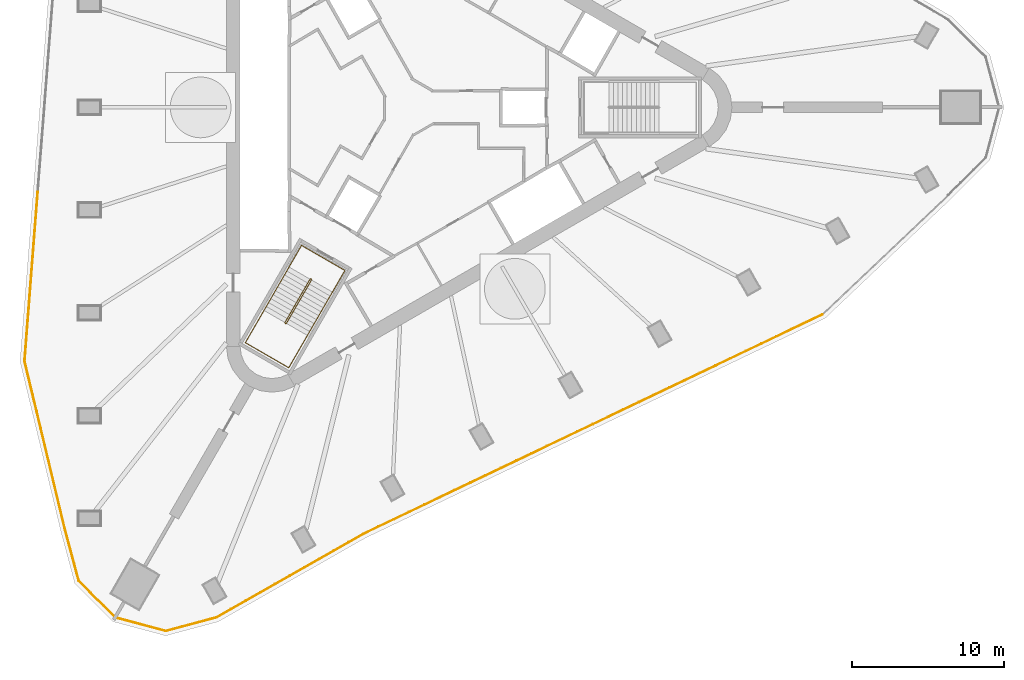
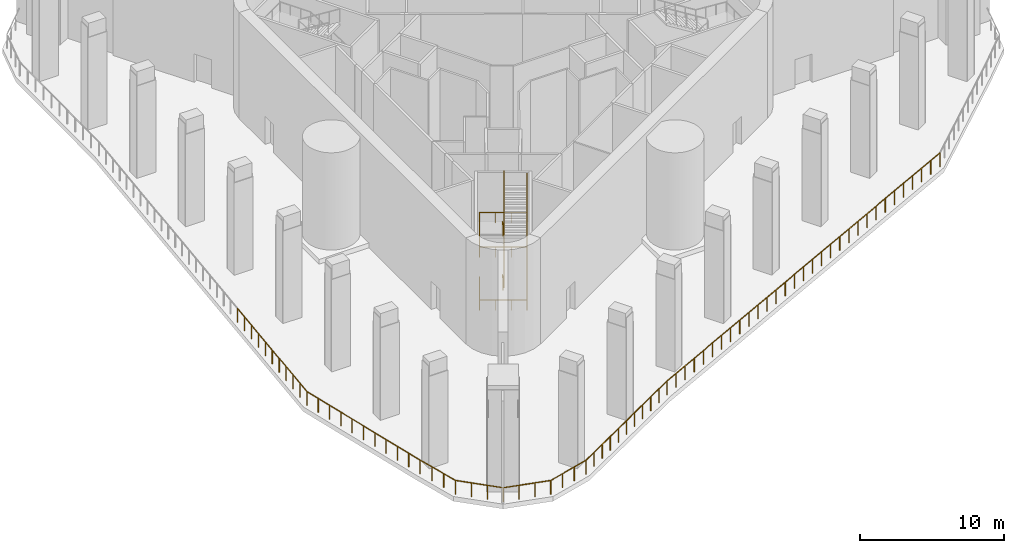
# One storey, part 7 of 10: 10 railings.
"""IFC4 building model written with IfcOpenShell, lengths in metres."""

from ifc_helpers import new_model, si_unit, direction, frame, origin, origin_2d, place, context, subcontext, project, spatial, circle, extrude, material, type_object, element, save


model = new_model("IFC4")

# Units and contexts
model_context = context("Model", 3, precision=1e-05, world=origin(), true_north=direction((0.0, 1.0)))
body_context = subcontext(model_context, "Body", "Model", "MODEL_VIEW")
ifc_project = project(units=[si_unit("LENGTHUNIT", "METRE"), si_unit("AREAUNIT", "SQUARE_METRE"), si_unit("VOLUMEUNIT", "CUBIC_METRE"), si_unit("PLANEANGLEUNIT", "RADIAN"), si_unit("MASSUNIT", "GRAM", prefix="KILO")], contexts=[model_context])

# Site, building, storey
site_placement = place(None, origin())
site = spatial("IfcSite", under=ifc_project, at=site_placement, CompositionType="ELEMENT")
building_placement = place(site_placement, origin())
building = spatial("IfcBuilding", under=site, at=building_placement, Name="Tanit Gate Tower", CompositionType="ELEMENT")
storey_placement = place(building_placement, frame((0.0, 0.0, 283.699951171875)))
storey = spatial("IfcBuildingStorey", under=building, at=storey_placement, Name="L64", CompositionType="ELEMENT", Elevation=283.699951171875)

# Railings
ifc_material_1 = material(Name="Steel S355 galvanised", Category="steel")
railing_type_1 = type_object("IfcRailingType", Name="Guard 1200 turbine slot balustrade", PredefinedType="GUARDRAIL", material=ifc_material_1)
railing_1_placement = place(storey_placement, frame((27.1669921875, -13.641845703125, 0.0)))
element("IfcRailing", 1, at=railing_1_placement, inside=storey, type_object=railing_type_1, Name="Open storey guard L64 1", PredefinedType="GUARDRAIL", context=body_context, shape_type="SweptSolid", body=[
    extrude(circle(Radius=0.02392578125, at=origin_2d()), frame((0.0, 0.0, 1.17578125), z_axis=(-0.90226321048, -0.431185689715, 0.0), x_axis=(0.431185689715, -0.90226321048, 0.0)), (0.0, 0.0, 1.0), 11.17529296875),
    extrude(circle(Radius=0.02099609375, at=origin_2d()), origin(), (0.0, 0.0, 1.0), 1.15185546875),
    extrude(circle(Radius=0.02099609375, at=origin_2d()), frame((-1.00830078125, -0.48193359375, 0.0)), (0.0, 0.0, 1.0), 1.15185546875),
    extrude(circle(Radius=0.02099609375, at=origin_2d()), frame((-2.0166015625, -0.963623046875, 0.0)), (0.0, 0.0, 1.0), 1.15185546875),
    extrude(circle(Radius=0.02099609375, at=origin_2d()), frame((-3.02490234375, -1.445556640625, 0.0)), (0.0, 0.0, 1.0), 1.15185546875),
    extrude(circle(Radius=0.02099609375, at=origin_2d()), frame((-4.033203125, -1.927490234375, 0.0)), (0.0, 0.0, 1.0), 1.15185546875),
    extrude(circle(Radius=0.02099609375, at=origin_2d()), frame((-5.04150390625, -2.4091796875, 0.0)), (0.0, 0.0, 1.0), 1.15185546875),
    extrude(circle(Radius=0.02099609375, at=origin_2d()), frame((-6.0498046875, -2.89111328125, 0.0)), (0.0, 0.0, 1.0), 1.15185546875),
    extrude(circle(Radius=0.02099609375, at=origin_2d()), frame((-7.05810546875, -3.373046875, 0.0)), (0.0, 0.0, 1.0), 1.15185546875),
    extrude(circle(Radius=0.02099609375, at=origin_2d()), frame((-8.06640625, -3.85498046875, 0.0)), (0.0, 0.0, 1.0), 1.15185546875),
    extrude(circle(Radius=0.02099609375, at=origin_2d()), frame((-9.07470703125, -4.336669921875, 0.0)), (0.0, 0.0, 1.0), 1.15185546875),
    extrude(circle(Radius=0.02099609375, at=origin_2d()), frame((-10.0830078125, -4.818603515625, 0.0)), (0.0, 0.0, 1.0), 1.15185546875),
])
railing_2_placement = place(storey_placement, frame((17.083984375, -18.46044921875, 0.0)))
element("IfcRailing", 2, at=railing_2_placement, inside=storey, type_object=railing_type_1, Name="Open storey guard L64 1", PredefinedType="GUARDRAIL", context=body_context, shape_type="SweptSolid", body=[
    extrude(circle(Radius=0.02392578125, at=origin_2d()), frame((0.0, 0.0, 1.17578125), z_axis=(-0.902259148622, -0.431194189117, 0.0), x_axis=(0.431194189117, -0.902259148622, 0.0)), (0.0, 0.0, 1.0), 11.175048828125),
    extrude(circle(Radius=0.02099609375, at=origin_2d()), origin(), (0.0, 0.0, 1.0), 1.15185546875),
    extrude(circle(Radius=0.02099609375, at=origin_2d()), frame((-1.00830078125, -0.48193359375, 0.0)), (0.0, 0.0, 1.0), 1.15185546875),
    extrude(circle(Radius=0.02099609375, at=origin_2d()), frame((-2.0166015625, -0.963623046875, 0.0)), (0.0, 0.0, 1.0), 1.15185546875),
    extrude(circle(Radius=0.02099609375, at=origin_2d()), frame((-3.02490234375, -1.445556640625, 0.0)), (0.0, 0.0, 1.0), 1.15185546875),
    extrude(circle(Radius=0.02099609375, at=origin_2d()), frame((-4.033203125, -1.927490234375, 0.0)), (0.0, 0.0, 1.0), 1.15185546875),
    extrude(circle(Radius=0.02099609375, at=origin_2d()), frame((-5.04150390625, -2.4091796875, 0.0)), (0.0, 0.0, 1.0), 1.15185546875),
    extrude(circle(Radius=0.02099609375, at=origin_2d()), frame((-6.049560546875, -2.89111328125, 0.0)), (0.0, 0.0, 1.0), 1.15185546875),
    extrude(circle(Radius=0.02099609375, at=origin_2d()), frame((-7.057861328125, -3.373046875, 0.0)), (0.0, 0.0, 1.0), 1.15185546875),
    extrude(circle(Radius=0.02099609375, at=origin_2d()), frame((-8.066162109375, -3.85498046875, 0.0)), (0.0, 0.0, 1.0), 1.15185546875),
    extrude(circle(Radius=0.02099609375, at=origin_2d()), frame((-9.074462890625, -4.336669921875, 0.0)), (0.0, 0.0, 1.0), 1.15185546875),
    extrude(circle(Radius=0.02099609375, at=origin_2d()), frame((-10.082763671875, -4.818603515625, 0.0)), (0.0, 0.0, 1.0), 1.15185546875),
])
railing_3_placement = place(storey_placement, frame((7.001220703125, -23.279052734375, 0.0)))
element("IfcRailing", 3, at=railing_3_placement, inside=storey, type_object=railing_type_1, Name="Open storey guard L64 1", PredefinedType="GUARDRAIL", context=body_context, shape_type="SweptSolid", body=[
    extrude(circle(Radius=0.02392578125, at=origin_2d()), frame((0.0, 0.0, 1.17578125), z_axis=(-0.902254711131, -0.431203474293, 0.0), x_axis=(0.431203474293, -0.902254711131, 0.0)), (0.0, 0.0, 1.0), 11.17529296875),
    extrude(circle(Radius=0.02099609375, at=origin_2d()), origin(), (0.0, 0.0, 1.0), 1.15185546875),
    extrude(circle(Radius=0.02099609375, at=origin_2d()), frame((-1.00830078125, -0.48193359375, 0.0)), (0.0, 0.0, 1.0), 1.15185546875),
    extrude(circle(Radius=0.02099609375, at=origin_2d()), frame((-2.0166015625, -0.9638671875, 0.0)), (0.0, 0.0, 1.0), 1.15185546875),
    extrude(circle(Radius=0.02099609375, at=origin_2d()), frame((-3.02490234375, -1.445556640625, 0.0)), (0.0, 0.0, 1.0), 1.15185546875),
    extrude(circle(Radius=0.02099609375, at=origin_2d()), frame((-4.033203125, -1.927490234375, 0.0)), (0.0, 0.0, 1.0), 1.15185546875),
    extrude(circle(Radius=0.02099609375, at=origin_2d()), frame((-5.04150390625, -2.409423828125, 0.0)), (0.0, 0.0, 1.0), 1.15185546875),
    extrude(circle(Radius=0.02099609375, at=origin_2d()), frame((-6.0498046875, -2.891357421875, 0.0)), (0.0, 0.0, 1.0), 1.15185546875),
    extrude(circle(Radius=0.02099609375, at=origin_2d()), frame((-7.05810546875, -3.373291015625, 0.0)), (0.0, 0.0, 1.0), 1.15185546875),
    extrude(circle(Radius=0.02099609375, at=origin_2d()), frame((-8.06640625, -3.85498046875, 0.0)), (0.0, 0.0, 1.0), 1.15185546875),
    extrude(circle(Radius=0.02099609375, at=origin_2d()), frame((-9.07470703125, -4.3369140625, 0.0)), (0.0, 0.0, 1.0), 1.15185546875),
    extrude(circle(Radius=0.02099609375, at=origin_2d()), frame((-10.0830078125, -4.81884765625, 0.0)), (0.0, 0.0, 1.0), 1.15185546875),
])
railing_4_placement = place(storey_placement, frame((-3.081787109375, -28.097900390625, 0.0)))
element("IfcRailing", 4, at=railing_4_placement, inside=storey, type_object=railing_type_1, Name="Open storey guard L64 1", PredefinedType="GUARDRAIL", context=body_context, shape_type="SweptSolid", body=[
    extrude(circle(Radius=0.02392578125, at=origin_2d()), frame((0.0, 0.0, 1.17578125), z_axis=(-0.869194889918, -0.494469658666, 0.0), x_axis=(0.494469658666, -0.869194889918, 0.0)), (0.0, 0.0, 1.0), 11.1259765625),
    extrude(circle(Radius=0.02099609375, at=origin_2d()), origin(), (0.0, 0.0, 1.0), 1.15185546875),
    extrude(circle(Radius=0.02099609375, at=origin_2d()), frame((-0.967041015625, -0.550048828125, 0.0)), (0.0, 0.0, 1.0), 1.15185546875),
    extrude(circle(Radius=0.02099609375, at=origin_2d()), frame((-1.93408203125, -1.100341796875, 0.0)), (0.0, 0.0, 1.0), 1.15185546875),
    extrude(circle(Radius=0.02099609375, at=origin_2d()), frame((-2.901123046875, -1.650390625, 0.0)), (0.0, 0.0, 1.0), 1.15185546875),
    extrude(circle(Radius=0.02099609375, at=origin_2d()), frame((-3.8681640625, -2.20068359375, 0.0)), (0.0, 0.0, 1.0), 1.15185546875),
    extrude(circle(Radius=0.02099609375, at=origin_2d()), frame((-4.83544921875, -2.750732421875, 0.0)), (0.0, 0.0, 1.0), 1.15185546875),
    extrude(circle(Radius=0.02099609375, at=origin_2d()), frame((-5.802490234375, -3.30078125, 0.0)), (0.0, 0.0, 1.0), 1.15185546875),
    extrude(circle(Radius=0.02099609375, at=origin_2d()), frame((-6.76953125, -3.85107421875, 0.0)), (0.0, 0.0, 1.0), 1.15185546875),
    extrude(circle(Radius=0.02099609375, at=origin_2d()), frame((-7.736572265625, -4.401123046875, 0.0)), (0.0, 0.0, 1.0), 1.15185546875),
    extrude(circle(Radius=0.02099609375, at=origin_2d()), frame((-8.70361328125, -4.951416015625, 0.0)), (0.0, 0.0, 1.0), 1.15185546875),
    extrude(circle(Radius=0.02099609375, at=origin_2d()), frame((-9.670654296875, -5.50146484375, 0.0)), (0.0, 0.0, 1.0), 1.15185546875),
])
railing_5_placement = place(storey_placement, frame((-12.75244140625, -33.599365234375, 0.0)))
element("IfcRailing", 5, at=railing_5_placement, inside=storey, type_object=railing_type_1, Name="Open storey guard L64 1", PredefinedType="GUARDRAIL", context=body_context, shape_type="SweptSolid", body=[
    extrude(circle(Radius=0.02392578125, at=origin_2d()), frame((0.0, 0.0, 1.17578125), z_axis=(-0.965939559295, -0.258767787388, 0.0), x_axis=(0.258767787388, -0.965939559295, 0.0)), (0.0, 0.0, 1.0), 3.46435546875),
    extrude(circle(Radius=0.02392578125, at=origin_2d()), frame((-3.346435546875, -0.896484375, 1.17578125), z_axis=(-0.965931176381, 0.258799077462, 0.0), x_axis=(-0.258799077462, -0.965931176381, 0.0)), (0.0, 0.0, 1.0), 3.422607421875),
    extrude(circle(Radius=0.02099609375, at=origin_2d()), origin(), (0.0, 0.0, 1.0), 1.15185546875),
    extrude(circle(Radius=0.02099609375, at=origin_2d()), frame((-1.115478515625, -0.298828125, 0.0)), (0.0, 0.0, 1.0), 1.15185546875),
    extrude(circle(Radius=0.02099609375, at=origin_2d()), frame((-2.23095703125, -0.59765625, 0.0)), (0.0, 0.0, 1.0), 1.15185546875),
    extrude(circle(Radius=0.02099609375, at=origin_2d()), frame((-3.346435546875, -0.896484375, 0.0)), (0.0, 0.0, 1.0), 1.15185546875),
    extrude(circle(Radius=0.02099609375, at=origin_2d()), frame((-4.448486328125, -0.601318359375, 0.0)), (0.0, 0.0, 1.0), 1.15185546875),
    extrude(circle(Radius=0.02099609375, at=origin_2d()), frame((-5.55029296875, -0.305908203125, 0.0)), (0.0, 0.0, 1.0), 1.15185546875),
    extrude(circle(Radius=0.02099609375, at=origin_2d()), frame((-6.65234375, -0.0107421875, 0.0)), (0.0, 0.0, 1.0), 1.15185546875),
])
railing_6_placement = place(storey_placement, frame((-19.40478515625, -33.610107421875, 0.0)))
element("IfcRailing", 6, at=railing_6_placement, inside=storey, type_object=railing_type_1, Name="Open storey guard L64 1", PredefinedType="GUARDRAIL", context=body_context, shape_type="SweptSolid", body=[
    extrude(circle(Radius=0.02392578125, at=origin_2d()), frame((0.0, 0.0, 1.17578125), z_axis=(-0.707106781187, 0.707106781187, 0.0), x_axis=(-0.707106781187, -0.707106781187, 0.0)), (0.0, 0.0, 1.0), 3.422607421875),
    extrude(circle(Radius=0.02392578125, at=origin_2d()), frame((-2.420166015625, 2.420166015625, 1.17578125), z_axis=(-0.258852334616, 0.965916905776, 0.0), x_axis=(-0.965916905776, -0.258852334616, 0.0)), (0.0, 0.0, 1.0), 3.4990234375),
    extrude(circle(Radius=0.02099609375, at=origin_2d()), origin(), (0.0, 0.0, 1.0), 1.15185546875),
    extrude(circle(Radius=0.02099609375, at=origin_2d()), frame((-0.806640625, 0.806640625, 0.0)), (0.0, 0.0, 1.0), 1.15185546875),
    extrude(circle(Radius=0.02099609375, at=origin_2d()), frame((-1.613525390625, 1.613525390625, 0.0)), (0.0, 0.0, 1.0), 1.15185546875),
    extrude(circle(Radius=0.02099609375, at=origin_2d()), frame((-2.420166015625, 2.420166015625, 0.0)), (0.0, 0.0, 1.0), 1.15185546875),
    extrude(circle(Radius=0.02099609375, at=origin_2d()), frame((-2.72216796875, 3.546875, 0.0)), (0.0, 0.0, 1.0), 1.15185546875),
    extrude(circle(Radius=0.02099609375, at=origin_2d()), frame((-3.02392578125, 4.67333984375, 0.0)), (0.0, 0.0, 1.0), 1.15185546875),
    extrude(circle(Radius=0.02099609375, at=origin_2d()), frame((-3.325927734375, 5.800048828125, 0.0)), (0.0, 0.0, 1.0), 1.15185546875),
])
railing_7_placement = place(storey_placement, frame((-22.730712890625, -27.81005859375, 0.0)))
element("IfcRailing", 7, at=railing_7_placement, inside=storey, type_object=railing_type_1, Name="Open storey guard L64 1", PredefinedType="GUARDRAIL", context=body_context, shape_type="SweptSolid", body=[
    extrude(circle(Radius=0.02392578125, at=origin_2d()), frame((0.0, 0.0, 1.17578125), z_axis=(-0.233525774183, 0.97235061207, 0.0), x_axis=(-0.97235061207, -0.233525774183, 0.0)), (0.0, 0.0, 1.0), 11.41943359375),
    extrude(circle(Radius=0.02099609375, at=origin_2d()), origin(), (0.0, 0.0, 1.0), 1.15185546875),
    extrude(circle(Radius=0.02099609375, at=origin_2d()), frame((-0.2666015625, 1.1103515625, 0.0)), (0.0, 0.0, 1.0), 1.15185546875),
    extrude(circle(Radius=0.02099609375, at=origin_2d()), frame((-0.533447265625, 2.220703125, 0.0)), (0.0, 0.0, 1.0), 1.15185546875),
    extrude(circle(Radius=0.02099609375, at=origin_2d()), frame((-0.800048828125, 3.3310546875, 0.0)), (0.0, 0.0, 1.0), 1.15185546875),
    extrude(circle(Radius=0.02099609375, at=origin_2d()), frame((-1.066650390625, 4.44140625, 0.0)), (0.0, 0.0, 1.0), 1.15185546875),
    extrude(circle(Radius=0.02099609375, at=origin_2d()), frame((-1.33349609375, 5.5517578125, 0.0)), (0.0, 0.0, 1.0), 1.15185546875),
    extrude(circle(Radius=0.02099609375, at=origin_2d()), frame((-1.60009765625, 6.662353515625, 0.0)), (0.0, 0.0, 1.0), 1.15185546875),
    extrude(circle(Radius=0.02099609375, at=origin_2d()), frame((-1.86669921875, 7.772705078125, 0.0)), (0.0, 0.0, 1.0), 1.15185546875),
    extrude(circle(Radius=0.02099609375, at=origin_2d()), frame((-2.13330078125, 8.883056640625, 0.0)), (0.0, 0.0, 1.0), 1.15185546875),
    extrude(circle(Radius=0.02099609375, at=origin_2d()), frame((-2.400146484375, 9.993408203125, 0.0)), (0.0, 0.0, 1.0), 1.15185546875),
    extrude(circle(Radius=0.02099609375, at=origin_2d()), frame((-2.666748046875, 11.103759765625, 0.0)), (0.0, 0.0, 1.0), 1.15185546875),
])
railing_8_placement = place(storey_placement, frame((-25.3974609375, -16.706298828125, 0.0)))
element("IfcRailing", 8, at=railing_8_placement, inside=storey, type_object=railing_type_1, Name="Open storey guard L64 2", PredefinedType="GUARDRAIL", context=body_context, shape_type="SweptSolid", body=[
    extrude(circle(Radius=0.02392578125, at=origin_2d()), frame((0.0, 0.0, 1.17578125), z_axis=(0.077687148224, 0.996977786614, 0.0), x_axis=(-0.996977786614, 0.077687148224, 0.0)), (0.0, 0.0, 1.0), 11.175048828125),
    extrude(circle(Radius=0.02099609375, at=origin_2d()), origin(), (0.0, 0.0, 1.0), 1.15185546875),
    extrude(circle(Radius=0.02099609375, at=origin_2d()), frame((0.0869140625, 1.1142578125, 0.0)), (0.0, 0.0, 1.0), 1.15185546875),
    extrude(circle(Radius=0.02099609375, at=origin_2d()), frame((0.173583984375, 2.228271484375, 0.0)), (0.0, 0.0, 1.0), 1.15185546875),
    extrude(circle(Radius=0.02099609375, at=origin_2d()), frame((0.260498046875, 3.34228515625, 0.0)), (0.0, 0.0, 1.0), 1.15185546875),
    extrude(circle(Radius=0.02099609375, at=origin_2d()), frame((0.34716796875, 4.45654296875, 0.0)), (0.0, 0.0, 1.0), 1.15185546875),
    extrude(circle(Radius=0.02099609375, at=origin_2d()), frame((0.43408203125, 5.57080078125, 0.0)), (0.0, 0.0, 1.0), 1.15185546875),
    extrude(circle(Radius=0.02099609375, at=origin_2d()), frame((0.52099609375, 6.684814453125, 0.0)), (0.0, 0.0, 1.0), 1.15185546875),
    extrude(circle(Radius=0.02099609375, at=origin_2d()), frame((0.607666015625, 7.798828125, 0.0)), (0.0, 0.0, 1.0), 1.15185546875),
    extrude(circle(Radius=0.02099609375, at=origin_2d()), frame((0.694580078125, 8.9130859375, 0.0)), (0.0, 0.0, 1.0), 1.15185546875),
    extrude(circle(Radius=0.02099609375, at=origin_2d()), frame((0.78125, 10.02734375, 0.0)), (0.0, 0.0, 1.0), 1.15185546875),
    extrude(circle(Radius=0.02099609375, at=origin_2d()), frame((0.8681640625, 11.141357421875, 0.0)), (0.0, 0.0, 1.0), 1.15185546875),
])
ifc_material_2 = material(Name="Stainless steel balustrade", Category="steel")
railing_type_2 = type_object("IfcRailingType", Name="INT-STAIR-GUARD", PredefinedType="GUARDRAIL", material=ifc_material_2)
railing_9_placement = place(storey_placement, frame((-6.51806640625, -11.2998046875, 0.0)))
element("IfcRailing", 9, at=railing_9_placement, inside=storey, type_object=railing_type_2, Name="L64 S3 stair guard 1", PredefinedType="GUARDRAIL", context=body_context, shape_type="SweptSolid", body=[
    extrude(circle(Radius=0.02392578125, at=origin_2d()), frame((0.0, 0.0, 1.076171875), z_axis=(-0.874157276122, 0.485642931179, 0.0), x_axis=(-0.485642931179, -0.874157276122, 0.0)), (0.0, 0.0, 1.0), 0.010009765625),
    extrude(circle(Radius=0.02392578125, at=origin_2d()), frame((-0.0087890625, 0.0048828125, 1.076171875), z_axis=(-0.34113380443, -0.090156791171, 0.935681292151), x_axis=(0.255512919477, -0.966805641264, 0.0)), (0.0, 0.0, 1.0), 0.200439453125),
    extrude(circle(Radius=0.02392578125, at=origin_2d()), frame((-0.0771484375, -0.01318359375, 1.263671875), z_axis=(-0.423976462191, -0.734399003612, 0.530001946225), x_axis=(0.866040211805, -0.499974350878, 0.0)), (0.0, 0.0, 1.0), 3.8916015625),
    extrude(circle(Radius=0.02392578125, at=origin_2d()), frame((-1.72705078125, -2.87109375, 3.326171875), z_axis=(0.258736085224, -0.965948051503, 0.0), x_axis=(0.965948051503, 0.258736085224, 0.0)), (0.0, 0.0, 1.0), 0.07080078125),
    extrude(circle(Radius=0.02392578125, at=origin_2d()), frame((-1.708740234375, -2.939453125, 3.326171875), z_axis=(0.857492925713, -0.514495755428, 0.0), x_axis=(0.514495755428, 0.857492925713, 0.0)), (0.0, 0.0, 1.0), 0.010009765625),
    extrude(circle(Radius=0.02392578125, at=origin_2d()), frame((-1.7001953125, -2.944580078125, 3.326171875), z_axis=(0.341096086969, 0.091365023295, 0.935577838543), x_axis=(-0.258736085224, 0.965948051503, 0.0)), (0.0, 0.0, 1.0), 0.200439453125),
    extrude(circle(Radius=0.02392578125, at=origin_2d()), frame((-1.6318359375, -2.92626953125, 3.513671875), z_axis=(0.424027919761, 0.734379468667, 0.529987848223), x_axis=(-0.866008176907, 0.50002983664, 0.0)), (0.0, 0.0, 1.0), 3.8916015625),
    extrude(circle(Radius=0.02392578125, at=origin_2d()), frame((0.018310546875, -0.068359375, 5.576171875), z_axis=(-0.258736085224, 0.965948051503, 0.0), x_axis=(-0.965948051503, -0.258736085224, 0.0)), (0.0, 0.0, 1.0), 0.07080078125),
    extrude(circle(Radius=0.02392578125, at=origin_2d()), frame((0.0, 0.0, 5.576171875), z_axis=(-0.874157276122, 0.485642931179, 0.0), x_axis=(-0.485642931179, -0.874157276122, 0.0)), (0.0, 0.0, 1.0), 0.010009765625),
    extrude(circle(Radius=0.02392578125, at=origin_2d()), frame((-0.0087890625, 0.0048828125, 5.576171875), z_axis=(-0.34113380443, -0.090156791171, 0.935681292151), x_axis=(0.255512919477, -0.966805641264, 0.0)), (0.0, 0.0, 1.0), 0.200439453125),
    extrude(circle(Radius=0.02392578125, at=origin_2d()), frame((-0.0771484375, -0.01318359375, 5.763671875), z_axis=(-0.423976462191, -0.734399003612, 0.530001946225), x_axis=(0.866040211805, -0.499974350878, 0.0)), (0.0, 0.0, 1.0), 3.8916015625),
    extrude(circle(Radius=0.02392578125, at=origin_2d()), frame((-1.72705078125, -2.87109375, 7.826171875), z_axis=(0.258736085224, -0.965948051503, 0.0), x_axis=(0.965948051503, 0.258736085224, 0.0)), (0.0, 0.0, 1.0), 0.07080078125),
    extrude(circle(Radius=0.02392578125, at=origin_2d()), frame((-1.708740234375, -2.939453125, 7.826171875), z_axis=(0.857492925713, -0.514495755428, 0.0), x_axis=(0.514495755428, 0.857492925713, 0.0)), (0.0, 0.0, 1.0), 0.010009765625),
    extrude(circle(Radius=0.02392578125, at=origin_2d()), frame((-1.7001953125, -2.944580078125, 7.826171875), z_axis=(0.341096086969, 0.091365023295, 0.935577838543), x_axis=(-0.258736085224, 0.965948051503, 0.0)), (0.0, 0.0, 1.0), 0.200439453125),
    extrude(circle(Radius=0.02392578125, at=origin_2d()), frame((-1.6318359375, -2.92626953125, 8.013671875), z_axis=(0.424027919761, 0.734379468667, 0.529987848223), x_axis=(-0.866008176907, 0.50002983664, 0.0)), (0.0, 0.0, 1.0), 3.8916015625),
    extrude(circle(Radius=0.02099609375, at=origin_2d()), origin(), (0.0, 0.0, 1.0), 1.052001953125),
    extrude(circle(Radius=0.02099609375, at=origin_2d()), frame((-0.0087890625, 0.0048828125, 0.0)), (0.0, 0.0, 1.0), 1.052001953125),
    extrude(circle(Radius=0.02099609375, at=origin_2d()), frame((-0.0771484375, -0.01318359375, 0.1875)), (0.0, 0.0, 1.0), 1.052001953125),
    extrude(circle(Radius=0.02099609375, at=origin_2d()), frame((-0.48974609375, -0.7275390625, 0.703125)), (0.0, 0.0, 1.0), 1.052001953125),
    extrude(circle(Radius=0.02099609375, at=origin_2d()), frame((-0.902099609375, -1.442138671875, 1.21875)), (0.0, 0.0, 1.0), 1.052001953125),
    extrude(circle(Radius=0.02099609375, at=origin_2d()), frame((-1.314453125, -2.15673828125, 1.734375)), (0.0, 0.0, 1.0), 1.052001953125),
    extrude(circle(Radius=0.02099609375, at=origin_2d()), frame((-1.72705078125, -2.87109375, 2.25)), (0.0, 0.0, 1.0), 1.052001953125),
    extrude(circle(Radius=0.02099609375, at=origin_2d()), frame((-1.708740234375, -2.939453125, 2.25)), (0.0, 0.0, 1.0), 1.052001953125),
    extrude(circle(Radius=0.02099609375, at=origin_2d()), frame((-1.7001953125, -2.944580078125, 2.25)), (0.0, 0.0, 1.0), 1.052001953125),
    extrude(circle(Radius=0.02099609375, at=origin_2d()), frame((-1.6318359375, -2.92626953125, 2.4375)), (0.0, 0.0, 1.0), 1.052001953125),
    extrude(circle(Radius=0.02099609375, at=origin_2d()), frame((-1.21923828125, -2.2119140625, 2.953125)), (0.0, 0.0, 1.0), 1.052001953125),
    extrude(circle(Radius=0.02099609375, at=origin_2d()), frame((-0.806640625, -1.497314453125, 3.46875)), (0.0, 0.0, 1.0), 1.052001953125),
    extrude(circle(Radius=0.02099609375, at=origin_2d()), frame((-0.394287109375, -0.78271484375, 3.984375)), (0.0, 0.0, 1.0), 1.052001953125),
    extrude(circle(Radius=0.02099609375, at=origin_2d()), frame((0.018310546875, -0.068359375, 4.5)), (0.0, 0.0, 1.0), 1.052001953125),
    extrude(circle(Radius=0.02099609375, at=origin_2d()), frame((0.0, 0.0, 4.5)), (0.0, 0.0, 1.0), 1.052001953125),
    extrude(circle(Radius=0.02099609375, at=origin_2d()), frame((-0.0087890625, 0.0048828125, 4.5)), (0.0, 0.0, 1.0), 1.052001953125),
    extrude(circle(Radius=0.02099609375, at=origin_2d()), frame((-0.0771484375, -0.01318359375, 4.6875)), (0.0, 0.0, 1.0), 1.052001953125),
    extrude(circle(Radius=0.02099609375, at=origin_2d()), frame((-0.48974609375, -0.7275390625, 5.203125)), (0.0, 0.0, 1.0), 1.052001953125),
    extrude(circle(Radius=0.02099609375, at=origin_2d()), frame((-0.902099609375, -1.442138671875, 5.71875)), (0.0, 0.0, 1.0), 1.052001953125),
    extrude(circle(Radius=0.02099609375, at=origin_2d()), frame((-1.314453125, -2.15673828125, 6.234375)), (0.0, 0.0, 1.0), 1.052001953125),
    extrude(circle(Radius=0.02099609375, at=origin_2d()), frame((-1.72705078125, -2.87109375, 6.75)), (0.0, 0.0, 1.0), 1.052001953125),
    extrude(circle(Radius=0.02099609375, at=origin_2d()), frame((-1.708740234375, -2.939453125, 6.75)), (0.0, 0.0, 1.0), 1.052001953125),
    extrude(circle(Radius=0.02099609375, at=origin_2d()), frame((-1.7001953125, -2.944580078125, 6.75)), (0.0, 0.0, 1.0), 1.052001953125),
    extrude(circle(Radius=0.02099609375, at=origin_2d()), frame((-1.6318359375, -2.92626953125, 6.9375)), (0.0, 0.0, 1.0), 1.052001953125),
    extrude(circle(Radius=0.02099609375, at=origin_2d()), frame((-1.21923828125, -2.2119140625, 7.453125)), (0.0, 0.0, 1.0), 1.052001953125),
    extrude(circle(Radius=0.02099609375, at=origin_2d()), frame((-0.806640625, -1.497314453125, 7.96875)), (0.0, 0.0, 1.0), 1.052001953125),
    extrude(circle(Radius=0.02099609375, at=origin_2d()), frame((-0.394287109375, -0.78271484375, 8.484375)), (0.0, 0.0, 1.0), 1.052001953125),
    extrude(circle(Radius=0.02099609375, at=origin_2d()), frame((0.018310546875, -0.068359375, 9.0)), (0.0, 0.0, 1.0), 1.052001953125),
])
ifc_material_3 = material(Name="Stainless steel handrail", Category="steel")
railing_type_3 = type_object("IfcRailingType", Name="INT-STAIR-HANDRAIL", PredefinedType="HANDRAIL", material=ifc_material_3)
railing_10_placement = place(storey_placement, frame((-7.9765625, -10.515625, 0.1875)))
element("IfcRailing", 10, at=railing_10_placement, inside=storey, type_object=railing_type_3, Name="L64 S3 stair handrail 1", PredefinedType="HANDRAIL", context=body_context, shape_type="SweptSolid", body=[
    extrude(circle(Radius=0.02392578125, at=origin_2d()), frame((0.0, 0.0, 0.8759765625), z_axis=(-0.423976462191, -0.734399003612, 0.530001946225), x_axis=(0.866040211805, -0.499974350878, 0.0)), (0.0, 0.0, 1.0), 3.8916015625),
    extrude(circle(Radius=0.02392578125, at=origin_2d()), frame((-1.64990234375, -2.85791015625, 2.9384765625), z_axis=(-0.500032359733, -0.866006720078, 0.0), x_axis=(0.866006720078, -0.500032359733, 0.0)), (0.0, 0.0, 1.0), 2.454833984375),
    extrude(circle(Radius=0.02392578125, at=origin_2d()), frame((-2.87744140625, -4.98388671875, 2.9384765625), z_axis=(0.866008176907, -0.50002983664, 0.0), x_axis=(0.50002983664, 0.866008176907, 0.0)), (0.0, 0.0, 1.0), 3.300048828125),
    extrude(circle(Radius=0.02392578125, at=origin_2d()), frame((-0.01953125, -6.634033203125, 2.9384765625), z_axis=(0.498537556413, 0.863517020446, 0.076148934631), x_axis=(-0.866031582473, 0.499989298045, 0.0)), (0.0, 0.0, 1.0), 2.462158203125),
    extrude(circle(Radius=0.02392578125, at=origin_2d()), frame((1.2080078125, -4.5078125, 3.1259765625), z_axis=(0.423976462191, 0.734399003612, 0.530001946225), x_axis=(-0.866040211805, 0.499974350878, 0.0)), (0.0, 0.0, 1.0), 3.8916015625),
    extrude(circle(Radius=0.02392578125, at=origin_2d()), frame((2.85791015625, -1.64990234375, 5.1884765625), z_axis=(0.50001794124, 0.866015045157, 0.0), x_axis=(-0.866015045157, 0.50001794124, 0.0)), (0.0, 0.0, 1.0), 1.64501953125),
    extrude(circle(Radius=0.02392578125, at=origin_2d()), frame((3.680419921875, -0.225341796875, 5.1884765625), z_axis=(-0.866040211805, 0.499974350878, 0.0), x_axis=(-0.499974350878, -0.866040211805, 0.0)), (0.0, 0.0, 1.0), 3.300048828125),
    extrude(circle(Radius=0.02392578125, at=origin_2d()), frame((0.822509765625, 1.424560546875, 5.1884765625), z_axis=(-0.496801021229, -0.860443442824, 0.113251167796), x_axis=(0.866015045157, -0.50001794124, 0.0)), (0.0, 0.0, 1.0), 1.655517578125),
    extrude(circle(Radius=0.02392578125, at=origin_2d()), frame((0.0, 0.0, 5.3759765625), z_axis=(-0.423976462191, -0.734399003612, 0.530001946225), x_axis=(0.866040211805, -0.499974350878, 0.0)), (0.0, 0.0, 1.0), 3.8916015625),
    extrude(circle(Radius=0.02392578125, at=origin_2d()), frame((-1.64990234375, -2.85791015625, 7.4384765625), z_axis=(-0.500032359733, -0.866006720078, 0.0), x_axis=(0.866006720078, -0.500032359733, 0.0)), (0.0, 0.0, 1.0), 2.454833984375),
    extrude(circle(Radius=0.02392578125, at=origin_2d()), frame((-2.87744140625, -4.98388671875, 7.4384765625), z_axis=(0.866008176907, -0.50002983664, 0.0), x_axis=(0.50002983664, 0.866008176907, 0.0)), (0.0, 0.0, 1.0), 3.300048828125),
    extrude(circle(Radius=0.02392578125, at=origin_2d()), frame((-0.01953125, -6.634033203125, 7.4384765625), z_axis=(0.498537556413, 0.863517020446, 0.076148934631), x_axis=(-0.866031582473, 0.499989298045, 0.0)), (0.0, 0.0, 1.0), 2.462158203125),
    extrude(circle(Radius=0.02392578125, at=origin_2d()), frame((1.2080078125, -4.5078125, 7.6259765625), z_axis=(0.423976462191, 0.734399003612, 0.530001946225), x_axis=(-0.866040211805, 0.499974350878, 0.0)), (0.0, 0.0, 1.0), 3.8916015625),
    extrude(circle(Radius=0.02099609375, at=origin_2d()), origin(), (0.0, 0.0, 1.0), 0.851806640625),
    extrude(circle(Radius=0.02099609375, at=origin_2d()), frame((-0.41259765625, -0.71435546875, 0.515625)), (0.0, 0.0, 1.0), 0.851806640625),
    extrude(circle(Radius=0.02099609375, at=origin_2d()), frame((-0.824951171875, -1.428955078125, 1.03125)), (0.0, 0.0, 1.0), 0.851806640625),
    extrude(circle(Radius=0.02099609375, at=origin_2d()), frame((-1.2373046875, -2.1435546875, 1.546875)), (0.0, 0.0, 1.0), 0.851806640625),
    extrude(circle(Radius=0.02099609375, at=origin_2d()), frame((-1.64990234375, -2.85791015625, 2.0625)), (0.0, 0.0, 1.0), 0.851806640625),
    extrude(circle(Radius=0.02099609375, at=origin_2d()), frame((-2.05908203125, -3.566650390625, 2.0625)), (0.0, 0.0, 1.0), 0.851806640625),
    extrude(circle(Radius=0.02099609375, at=origin_2d()), frame((-2.46826171875, -4.275146484375, 2.0625)), (0.0, 0.0, 1.0), 0.851806640625),
    extrude(circle(Radius=0.02099609375, at=origin_2d()), frame((-2.87744140625, -4.98388671875, 2.0625)), (0.0, 0.0, 1.0), 0.851806640625),
    extrude(circle(Radius=0.02099609375, at=origin_2d()), frame((-1.9248046875, -5.533935546875, 2.0625)), (0.0, 0.0, 1.0), 0.851806640625),
    extrude(circle(Radius=0.02099609375, at=origin_2d()), frame((-0.97216796875, -6.083984375, 2.0625)), (0.0, 0.0, 1.0), 0.851806640625),
    extrude(circle(Radius=0.02099609375, at=origin_2d()), frame((-0.01953125, -6.634033203125, 2.0625)), (0.0, 0.0, 1.0), 0.851806640625),
    extrude(circle(Radius=0.02099609375, at=origin_2d()), frame((0.3896484375, -5.92529296875, 2.125)), (0.0, 0.0, 1.0), 0.851806640625),
    extrude(circle(Radius=0.02099609375, at=origin_2d()), frame((0.798828125, -5.216552734375, 2.1875)), (0.0, 0.0, 1.0), 0.851806640625),
    extrude(circle(Radius=0.02099609375, at=origin_2d()), frame((1.2080078125, -4.5078125, 2.25)), (0.0, 0.0, 1.0), 0.851806640625),
    extrude(circle(Radius=0.02099609375, at=origin_2d()), frame((1.62060546875, -3.79345703125, 2.765625)), (0.0, 0.0, 1.0), 0.851806640625),
    extrude(circle(Radius=0.02099609375, at=origin_2d()), frame((2.032958984375, -3.078857421875, 3.28125)), (0.0, 0.0, 1.0), 0.851806640625),
    extrude(circle(Radius=0.02099609375, at=origin_2d()), frame((2.4453125, -2.3642578125, 3.796875)), (0.0, 0.0, 1.0), 0.851806640625),
    extrude(circle(Radius=0.02099609375, at=origin_2d()), frame((2.85791015625, -1.64990234375, 4.3125)), (0.0, 0.0, 1.0), 0.851806640625),
    extrude(circle(Radius=0.02099609375, at=origin_2d()), frame((3.26904296875, -0.9375, 4.3125)), (0.0, 0.0, 1.0), 0.851806640625),
    extrude(circle(Radius=0.02099609375, at=origin_2d()), frame((3.680419921875, -0.225341796875, 4.3125)), (0.0, 0.0, 1.0), 0.851806640625),
    extrude(circle(Radius=0.02099609375, at=origin_2d()), frame((2.727783203125, 0.32470703125, 4.3125)), (0.0, 0.0, 1.0), 0.851806640625),
    extrude(circle(Radius=0.02099609375, at=origin_2d()), frame((1.775146484375, 0.87451171875, 4.3125)), (0.0, 0.0, 1.0), 0.851806640625),
    extrude(circle(Radius=0.02099609375, at=origin_2d()), frame((0.822509765625, 1.424560546875, 4.3125)), (0.0, 0.0, 1.0), 0.851806640625),
    extrude(circle(Radius=0.02099609375, at=origin_2d()), frame((0.4111328125, 0.71240234375, 4.40625)), (0.0, 0.0, 1.0), 0.851806640625),
    extrude(circle(Radius=0.02099609375, at=origin_2d()), frame((0.0, 0.0, 4.5)), (0.0, 0.0, 1.0), 0.851806640625),
    extrude(circle(Radius=0.02099609375, at=origin_2d()), frame((-0.41259765625, -0.71435546875, 5.015625)), (0.0, 0.0, 1.0), 0.851806640625),
    extrude(circle(Radius=0.02099609375, at=origin_2d()), frame((-0.824951171875, -1.428955078125, 5.53125)), (0.0, 0.0, 1.0), 0.851806640625),
    extrude(circle(Radius=0.02099609375, at=origin_2d()), frame((-1.2373046875, -2.1435546875, 6.046875)), (0.0, 0.0, 1.0), 0.851806640625),
    extrude(circle(Radius=0.02099609375, at=origin_2d()), frame((-1.64990234375, -2.85791015625, 6.5625)), (0.0, 0.0, 1.0), 0.851806640625),
    extrude(circle(Radius=0.02099609375, at=origin_2d()), frame((-2.05908203125, -3.566650390625, 6.5625)), (0.0, 0.0, 1.0), 0.851806640625),
    extrude(circle(Radius=0.02099609375, at=origin_2d()), frame((-2.46826171875, -4.275146484375, 6.5625)), (0.0, 0.0, 1.0), 0.851806640625),
    extrude(circle(Radius=0.02099609375, at=origin_2d()), frame((-2.87744140625, -4.98388671875, 6.5625)), (0.0, 0.0, 1.0), 0.851806640625),
    extrude(circle(Radius=0.02099609375, at=origin_2d()), frame((-1.9248046875, -5.533935546875, 6.5625)), (0.0, 0.0, 1.0), 0.851806640625),
    extrude(circle(Radius=0.02099609375, at=origin_2d()), frame((-0.97216796875, -6.083984375, 6.5625)), (0.0, 0.0, 1.0), 0.851806640625),
    extrude(circle(Radius=0.02099609375, at=origin_2d()), frame((-0.01953125, -6.634033203125, 6.5625)), (0.0, 0.0, 1.0), 0.851806640625),
    extrude(circle(Radius=0.02099609375, at=origin_2d()), frame((0.3896484375, -5.92529296875, 6.625)), (0.0, 0.0, 1.0), 0.851806640625),
    extrude(circle(Radius=0.02099609375, at=origin_2d()), frame((0.798828125, -5.216552734375, 6.6875)), (0.0, 0.0, 1.0), 0.851806640625),
    extrude(circle(Radius=0.02099609375, at=origin_2d()), frame((1.2080078125, -4.5078125, 6.75)), (0.0, 0.0, 1.0), 0.851806640625),
    extrude(circle(Radius=0.02099609375, at=origin_2d()), frame((1.62060546875, -3.79345703125, 7.265625)), (0.0, 0.0, 1.0), 0.851806640625),
    extrude(circle(Radius=0.02099609375, at=origin_2d()), frame((2.032958984375, -3.078857421875, 7.78125)), (0.0, 0.0, 1.0), 0.851806640625),
    extrude(circle(Radius=0.02099609375, at=origin_2d()), frame((2.4453125, -2.3642578125, 8.296875)), (0.0, 0.0, 1.0), 0.851806640625),
    extrude(circle(Radius=0.02099609375, at=origin_2d()), frame((2.85791015625, -1.64990234375, 8.8125)), (0.0, 0.0, 1.0), 0.851806640625),
])

save(model, "model.ifc")
